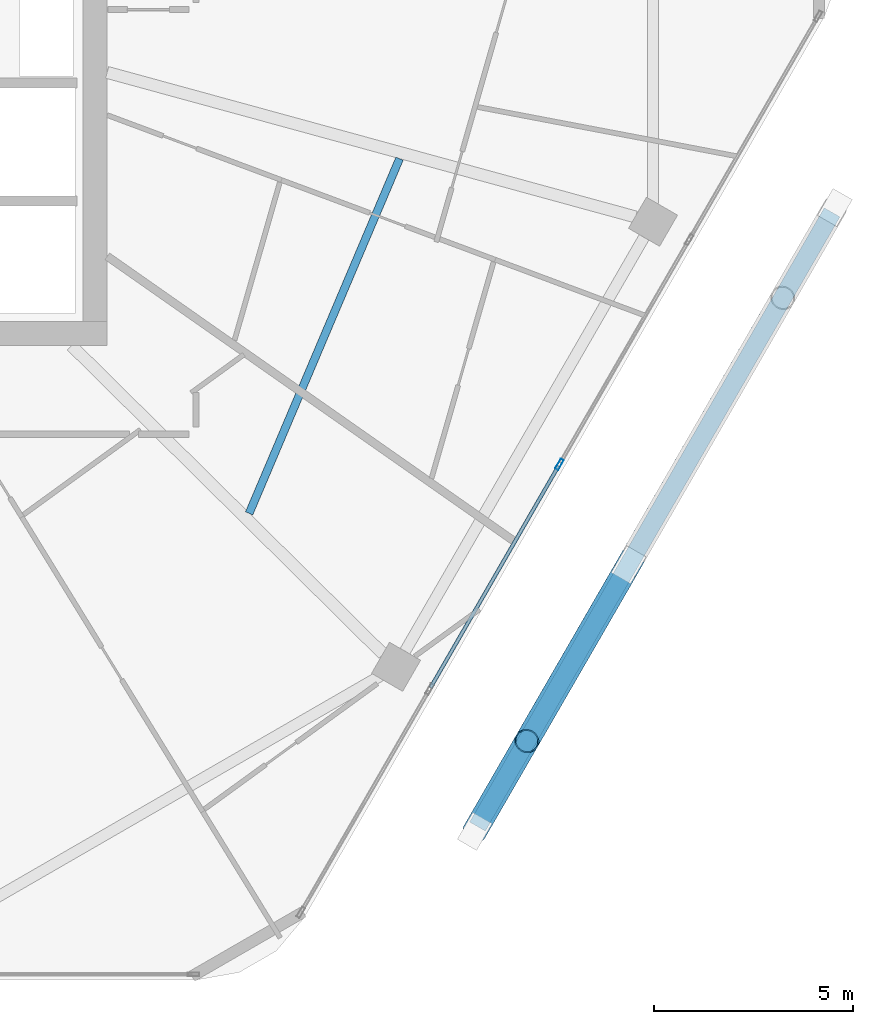
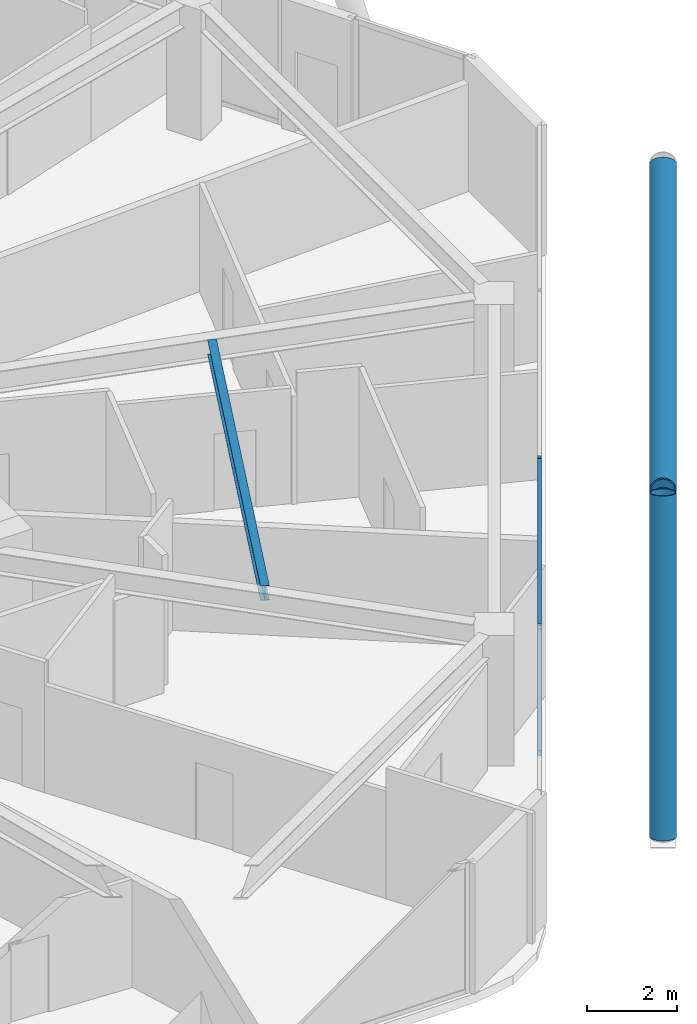
# One storey, part 9 of 27: 7 members, 1 beam, 1 element without a shape of its own.
"""IFC4 building model written with IfcOpenShell, lengths in metres."""

import ifcopenshell
import ifcopenshell.guid

model = None  # the IFC model being written
_history = None  # IfcOwnerHistory: only IFC2X3 demands one
_inside = {}  # id of a spatial element -> (the spatial element, [elements in it])
_under = {}  # id of a project, library or spatial element -> (it, [spatial elements below it])
_declared = {}  # id of a project -> (the project, [libraries it declares])
_typed = {}  # id of a type object -> (the type object, [elements of that type])
_made_of = {}  # id of a material, layer set ... -> (it, [elements and type objects made of it])


def new_model(schema):
    """Start an empty IFC model of exactly this schema.

    Asked for "IFC4X3", IfcOpenShell would pick the latest addendum, in which some entities
    have other attributes; the version numbers below select the first issue.
    IFC2X3 requires an IfcOwnerHistory on every rooted entity: one is made here for all.
    """
    global model, _history
    if schema == "IFC4X3":
        model = ifcopenshell.file(schema_version=(4, 3, 0, 0))
    else:
        model = ifcopenshell.file(schema=schema)
    _inside.clear()
    _under.clear()
    _declared.clear()
    _typed.clear()
    _made_of.clear()
    _history = None
    if model.schema == "IFC2X3":
        org = make("IfcOrganization", Name="unknown")
        user = make(
            "IfcPersonAndOrganization",
            ThePerson=make("IfcPerson", FamilyName="unknown"),
            TheOrganization=org,
        )
        app = make(
            "IfcApplication",
            ApplicationDeveloper=org,
            Version="unknown",
            ApplicationFullName="unknown",
            ApplicationIdentifier="unknown",
        )
        _history = make(
            "IfcOwnerHistory",
            OwningUser=user,
            OwningApplication=app,
            ChangeAction="ADDED",
            CreationDate=0,
        )
    return model


def make(cls, **values):
    """One entity of the class cls with the attributes given. An attribute that is None is left unset."""
    return model.create_entity(
        cls, **{name: value for name, value in values.items() if value is not None}
    )


def rooted(cls, **values):
    """An entity with a GlobalId (a new one), such as an element, a storey or a relation."""
    return make(cls, GlobalId=ifcopenshell.guid.new(), OwnerHistory=_history, **values)


def si_unit(unit_type, name, prefix=None):
    """IfcSIUnit, for example si_unit("LENGTHUNIT", "METRE", prefix="MILLI")."""
    return make("IfcSIUnit", UnitType=unit_type, Prefix=prefix, Name=name)


def assignment(units):
    """IfcUnitAssignment: the units of a project."""
    return None if units is None else make("IfcUnitAssignment", Units=units)


def point(xyz):
    """IfcCartesianPoint."""
    return None if xyz is None else make("IfcCartesianPoint", Coordinates=xyz)


def direction(xyz):
    """IfcDirection."""
    return None if xyz is None else make("IfcDirection", DirectionRatios=xyz)


def frame(location, z_axis=None, x_axis=None):
    """IfcAxis2Placement3D, a coordinate frame: its origin and axes. An axis left out is left unset."""
    return make(
        "IfcAxis2Placement3D",
        Location=point(location),
        Axis=direction(z_axis),
        RefDirection=direction(x_axis),
    )


def frame_2d(location, x_axis=None):
    """IfcAxis2Placement2D, a coordinate frame in the plane: its origin and x axis."""
    return make(
        "IfcAxis2Placement2D", Location=point(location), RefDirection=direction(x_axis)
    )


def origin():
    """The frame at (0, 0, 0) with its axes left unset."""
    return frame((0.0, 0.0, 0.0))


def origin_2d():
    """The frame at (0, 0) in the plane with its x axis left unset."""
    return frame_2d((0.0, 0.0))


def place(relative_to, where):
    """IfcLocalPlacement: puts the frame where relative to a parent placement (None: the world)."""
    return make(
        "IfcLocalPlacement", PlacementRelTo=relative_to, RelativePlacement=where
    )


def context(
    kind, dimensions, precision=None, world=None, true_north=None, identifier=None
):
    """IfcGeometricRepresentationContext, for example the 3D "Model" context."""
    return make(
        "IfcGeometricRepresentationContext",
        ContextIdentifier=identifier,
        ContextType=kind,
        CoordinateSpaceDimension=dimensions,
        Precision=precision,
        WorldCoordinateSystem=world,
        TrueNorth=true_north,
    )


def subcontext(parent, identifier, kind, view, scale=None):
    """IfcGeometricRepresentationSubContext, for example "Body" below "Model"."""
    return make(
        "IfcGeometricRepresentationSubContext",
        ContextIdentifier=identifier,
        ContextType=kind,
        ParentContext=parent,
        TargetScale=scale,
        TargetView=view,
    )


def project(units=None, contexts=None):
    """IfcProject with its units and contexts."""
    return rooted(
        "IfcProject",
        Name="project",
        RepresentationContexts=contexts,
        UnitsInContext=assignment(units),
    )


def spatial(cls, under=None, at=None, **own):
    """A site, building, storey or space (cls), placed at a placement, below another one or the project."""
    s = rooted(cls, ObjectPlacement=at, **own)
    if under is not None:
        _under.setdefault(under.id(), (under, []))[1].append(s)
    return s


def profile(cls, at=None, kind="AREA", **sizes):
    """A parametric profile (cls). Its sizes go by their IFC names, for example OverallWidth=200.0."""
    return make(cls, ProfileType=kind, Position=at, **sizes)


def hollow_rectangle(**sizes):
    """IfcRectangleHollowProfileDef."""
    return profile("IfcRectangleHollowProfileDef", **sizes)


def hollow_circle(**sizes):
    """IfcCircleHollowProfileDef."""
    return profile("IfcCircleHollowProfileDef", **sizes)


def i_section(**sizes):
    """IfcIShapeProfileDef."""
    return profile("IfcIShapeProfileDef", **sizes)


def extrude(swept, where, along, depth):
    """IfcExtrudedAreaSolid: the profile swept, set in the frame where, extruded along a direction by depth."""
    return make(
        "IfcExtrudedAreaSolid",
        SweptArea=swept,
        Position=where,
        ExtrudedDirection=direction(along),
        Depth=depth,
    )


def shape(context_of_items, identifier, shape_type, items):
    """IfcShapeRepresentation: the items that make up one representation, for example the "Body"."""
    return make(
        "IfcShapeRepresentation",
        ContextOfItems=context_of_items,
        RepresentationIdentifier=identifier,
        RepresentationType=shape_type,
        Items=items,
    )


def material(Name=None, Category=None):
    """IfcMaterial."""
    return make("IfcMaterial", Name=Name, Category=Category)


def material_profile(
    of_material, cross_section, Name=None, Category=None, Priority=None
):
    """IfcMaterialProfile: a cross section and its material."""
    return make(
        "IfcMaterialProfile",
        Name=Name,
        Material=of_material,
        Profile=cross_section,
        Priority=Priority,
        Category=Category,
    )


def profile_set(profiles, Name=None, composite=None):
    """IfcMaterialProfileSet."""
    return make(
        "IfcMaterialProfileSet",
        Name=Name,
        MaterialProfiles=profiles,
        CompositeProfile=composite,
    )


def made_of(thing, what):
    """Note that an element or type object is made of a material, layer set ...; save() writes the relation."""
    if what is not None:
        _made_of.setdefault(what.id(), (what, []))[1].append(thing)
    return thing


def type_object(cls, material=None, **own):
    """A type object (cls), such as IfcWallType, which elements share."""
    return made_of(rooted(cls, **own), material)


def element(
    cls,
    number,
    at=None,
    inside=None,
    cuts=None,
    type_object=None,
    material=None,
    context=None,
    identifier="Body",
    shape_type=None,
    held_by="IfcProductDefinitionShape",
    body=None,
    shapes=None,
    **own,
):
    """One element of the class cls, such as IfcWall. Its Tag is "e" and its number.

    at: its placement. inside: the storey or other place that contains it. cuts: it is an
    opening in that element (IfcRelVoidsElement). A single representation is given by context,
    identifier, shape_type and body (its items); several are given by shapes. held_by: the class
    of the entity that holds the representations. save() writes the other relations.
    """
    e = rooted(cls, Tag="e%d" % number, ObjectPlacement=at, **own)
    if body is not None:
        shapes = [shape(context, identifier, shape_type, body)]
    if shapes is not None:
        e.Representation = make(held_by, Representations=shapes)
    if inside is not None:
        _inside.setdefault(inside.id(), (inside, []))[1].append(e)
    if cuts is not None:
        rooted(
            "IfcRelVoidsElement", RelatingBuildingElement=cuts, RelatedOpeningElement=e
        )
    if type_object is not None:
        _typed.setdefault(type_object.id(), (type_object, []))[1].append(e)
    return made_of(e, material)


def aggregate(whole, parts):
    """IfcRelAggregates: a whole, such as a stair, and the parts it consists of."""
    return rooted("IfcRelAggregates", RelatingObject=whole, RelatedObjects=parts)


def save(model, path):
    """Write the relations noted so far, then the file.

    IfcRelAggregates (storeys below a building ...), IfcRelContainedInSpatialStructure (elements
    in a storey), IfcRelDefinesByType, IfcRelAssociatesMaterial and IfcRelDeclares: one each for
    every whole, place, type object, material and project.
    """
    for whole, parts in _under.values():
        aggregate(whole, parts)
    for where, things in _inside.values():
        rooted(
            "IfcRelContainedInSpatialStructure",
            RelatedElements=things,
            RelatingStructure=where,
        )
    for kind, things in _typed.values():
        rooted("IfcRelDefinesByType", RelatedObjects=things, RelatingType=kind)
    for what, things in _made_of.values():
        rooted("IfcRelAssociatesMaterial", RelatedObjects=things, RelatingMaterial=what)
    for by, libraries in _declared.values():
        rooted("IfcRelDeclares", RelatingContext=by, RelatedDefinitions=libraries)
    model.write(path)


model = new_model("IFC4")

# Units and contexts
model_context = context("Model", 3, precision=1e-05, world=origin(), true_north=direction((0.0, 1.0)))
body_context = subcontext(model_context, "Body", "Model", "MODEL_VIEW")
ifc_project = project(units=[si_unit("LENGTHUNIT", "METRE"), si_unit("AREAUNIT", "SQUARE_METRE"), si_unit("VOLUMEUNIT", "CUBIC_METRE"), si_unit("PLANEANGLEUNIT", "RADIAN"), si_unit("MASSUNIT", "GRAM", prefix="KILO")], contexts=[model_context])

# Site, building, storey
site_placement = place(None, origin())
site = spatial("IfcSite", under=ifc_project, at=site_placement, CompositionType="ELEMENT")
building_placement = place(site_placement, origin())
building = spatial("IfcBuilding", under=site, at=building_placement, Name="Zuhravey Tower", CompositionType="ELEMENT")
storey_placement = place(building_placement, frame((0.0, 0.0, 261.60009765625)))
storey = spatial("IfcBuildingStorey", under=building, at=storey_placement, Name="L66", CompositionType="ELEMENT", Elevation=261.60009765625)

# Curtain wall, members
ifc_material_1 = material(Name="Thermally broken anodised aluminium", Category="aluminium")
curtain_wall_type = type_object("IfcCurtainWallType", Name="Zone 3-4 High-Rise Curtain Wall CW4", PredefinedType="NOTDEFINED", material=ifc_material_1)
curtain_wall_placement = place(storey_placement, origin())
curtain_wall = element("IfcCurtainWall", 1, at=curtain_wall_placement, inside=storey, type_object=curtain_wall_type, Name="L66 CW4 CW-L66-F6-1", PredefinedType="NOTDEFINED")
ifc_material_2 = material(Name="Anodised aluminium", Category="aluminium")
ifc_material_profile_1 = material_profile(ifc_material_2, hollow_rectangle(XDim=0.090087890625, YDim=0.284912109375, WallThickness=0.0048828125, at=origin_2d()), Name="ALU-RHS-90x285x5")
ifc_profile_set_1 = profile_set([ifc_material_profile_1], Name="Anodised aluminium")
member_type_1 = type_object("IfcMemberType", Name="Curtain-Wall Mullion 90x180", PredefinedType="MULLION", material=ifc_profile_set_1)
member_1_placement = place(storey_placement, frame((58.138671875, 19.21826171875, 0.0), z_axis=(0.0, 0.0, 1.0), x_axis=(0.866024851021, -0.500000957414, 0.0)))
member_1 = element("IfcMember", 2, at=member_1_placement, type_object=member_type_1, Name="CW4 mullion 3", PredefinedType="MULLION", context=body_context, shape_type="SweptSolid", body=[
    extrude(hollow_rectangle(XDim=0.090087890625, YDim=0.284912109375, WallThickness=0.0048828125, at=origin_2d()), origin(), (0.0, 0.0, 1.0), 3.5498046875),
])
ifc_material_profile_2 = material_profile(ifc_material_2, hollow_rectangle(XDim=0.090087890625, YDim=0.14990234375, WallThickness=0.0048828125, at=origin_2d()), Name="ALU-RHS-90x150x5")
ifc_profile_set_2 = profile_set([ifc_material_profile_2], Name="Anodised aluminium")
member_type_2 = type_object("IfcMemberType", Name="Curtain-Wall Transom 90x150", PredefinedType="USERDEFINED", material=ifc_profile_set_2)
member_2_placement = place(storey_placement, frame((58.1162109375, 19.17919921875, 0.044921875), z_axis=(-0.500014493347, -0.866017035885, 0.0), x_axis=(0.866017035885, -0.500014493347, 0.0)))
member_2 = element("IfcMember", 3, at=member_2_placement, type_object=member_type_2, Name="CW4 transom 3.1", ObjectType="TRANSOM", PredefinedType="USERDEFINED", context=body_context, shape_type="SweptSolid", body=[
    extrude(hollow_rectangle(XDim=0.090087890625, YDim=0.14990234375, WallThickness=0.0048828125, at=origin_2d()), origin(), (0.0, 0.0, 1.0), 6.416259765625),
])
member_3_placement = place(storey_placement, frame((58.1162109375, 19.17919921875, 3.5048828125), z_axis=(-0.500014493347, -0.866017035885, 0.0), x_axis=(0.866017035885, -0.500014493347, 0.0)))
member_3 = element("IfcMember", 4, at=member_3_placement, type_object=member_type_2, Name="CW4 transom 3.2", ObjectType="TRANSOM", PredefinedType="USERDEFINED", context=body_context, shape_type="SweptSolid", body=[
    extrude(hollow_rectangle(XDim=0.090087890625, YDim=0.14990234375, WallThickness=0.0048828125, at=origin_2d()), origin(), (0.0, 0.0, 1.0), 6.416259765625),
])
aggregate(curtain_wall, [member_1, member_2, member_3])

# Members
ifc_material_3 = material(Name="Steel SM355", Category="steel")
ifc_material_profile_3 = material_profile(ifc_material_3, hollow_circle(Radius=0.228515625, WallThickness=0.02197265625, at=origin_2d()), Name="CHS-457.2x22")
ifc_profile_set_3 = profile_set([ifc_material_profile_3], Name="Steel SM355")
member_type_3 = type_object("IfcMemberType", Name="Exoskeleton Ring Tie CHS457x22", PredefinedType="CHORD", material=ifc_profile_set_3)
member_4_placement = place(storey_placement, frame((56.08447265625, 10.14013671875, -0.464111328125), z_axis=(0.499995467921, 0.866028020366, 0.0), x_axis=(-0.866028020366, 0.499995467921, 0.0)))
element("IfcMember", 5, at=member_4_placement, inside=storey, type_object=member_type_3, Name="L66 Exoskeleton Face 6 Tie EXR1", PredefinedType="CHORD", context=body_context, shape_type="SweptSolid", body=[
    extrude(hollow_circle(Radius=0.228515625, WallThickness=0.02197265625, at=origin_2d()), origin(), (0.0, 0.0, 1.0), 17.778076171875),
])
ifc_material_profile_4 = material_profile(ifc_material_3, hollow_circle(Radius=0.3046875, WallThickness=0.028076171875, at=origin_2d()), Name="CHS-609.6x28")
ifc_profile_set_4 = profile_set([ifc_material_profile_4], Name="Steel SM355")
member_type_4 = type_object("IfcMemberType", Name="Exoskeleton Zone 3 Diagrid CHS610x28", PredefinedType="BRACE", material=ifc_profile_set_4)
member_5_placement = place(storey_placement, frame((56.017578125, 10.024169921875, -0.446044921875), z_axis=(0.163029217662, 0.282394798701, 0.945343668649), x_axis=(-0.866040668696, 0.499973559465, 0.0)))
element("IfcMember", 6, at=member_5_placement, inside=storey, type_object=member_type_4, Name="L66 Face 6 Diagrid Brace 1", PredefinedType="BRACE", context=body_context, shape_type="SweptSolid", body=[
    extrude(hollow_circle(Radius=0.3046875, WallThickness=0.028076171875, at=origin_2d()), origin(), (0.0, 0.0, 1.0), 8.001220703125),
])
member_6_placement = place(storey_placement, frame((56.03271484375, 10.050537109375, -0.446044921875), z_axis=(0.44858715889, 0.776961798354, 0.441701171357), x_axis=(-0.866021515814, 0.500006734102, 0.0)))
element("IfcMember", 7, at=member_6_placement, inside=storey, type_object=member_type_4, Name="L66 Face 6 Diagrid Brace 2", PredefinedType="BRACE", context=body_context, shape_type="SweptSolid", body=[
    extrude(hollow_circle(Radius=0.3046875, WallThickness=0.028076171875, at=origin_2d()), origin(), (0.0, 0.0, 1.0), 17.12451171875),
])
member_7_placement = place(storey_placement, frame((59.75537109375, 16.498291015625, 3.51220703125), z_axis=(-0.400847383704, -0.694296697272, 0.597723574183), x_axis=(0.866028105091, -0.49999532117, 0.0)))
element("IfcMember", 8, at=member_7_placement, inside=storey, type_object=member_type_4, Name="L66 Face 6 Split Diagrid Brace 3B", PredefinedType="BRACE", context=body_context, shape_type="SweptSolid", body=[
    extrude(hollow_circle(Radius=0.3046875, WallThickness=0.028076171875, at=origin_2d()), origin(), (0.0, 0.0, 1.0), 6.021728515625),
])

# Beam
ifc_material_profile_5 = material_profile(ifc_material_3, i_section(OverallWidth=0.199951171875, OverallDepth=0.39990234375, WebThickness=0.008056640625, FlangeThickness=0.012939453125, at=origin_2d()), Name="H-400x200x8x13")
ifc_profile_set_5 = profile_set([ifc_material_profile_5], Name="Steel SM355")
beam_type = type_object("IfcBeamType", Name="Secondary Floor Joist H400x200", PredefinedType="JOIST", material=ifc_profile_set_5)
beam_placement = place(storey_placement, frame((50.36083984375, 17.990966796875, 3.349853515625), z_axis=(0.390413493754, 0.920639616731, 0.0), x_axis=(-0.920639616731, 0.390413493754, 0.0)))
element("IfcBeam", 9, at=beam_placement, inside=storey, type_object=beam_type, Name="L66 SJ2 BM-L66-SJ-11-1", PredefinedType="JOIST", context=body_context, shape_type="SweptSolid", body=[
    extrude(i_section(OverallWidth=0.199951171875, OverallDepth=0.39990234375, WebThickness=0.008056640625, FlangeThickness=0.012939453125, at=origin_2d()), origin(), (0.0, 0.0, 1.0), 9.656494140625),
])

save(model, "model.ifc")
